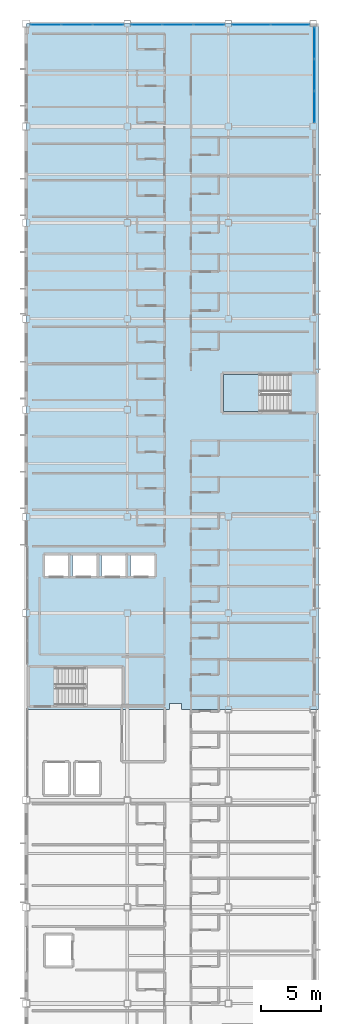
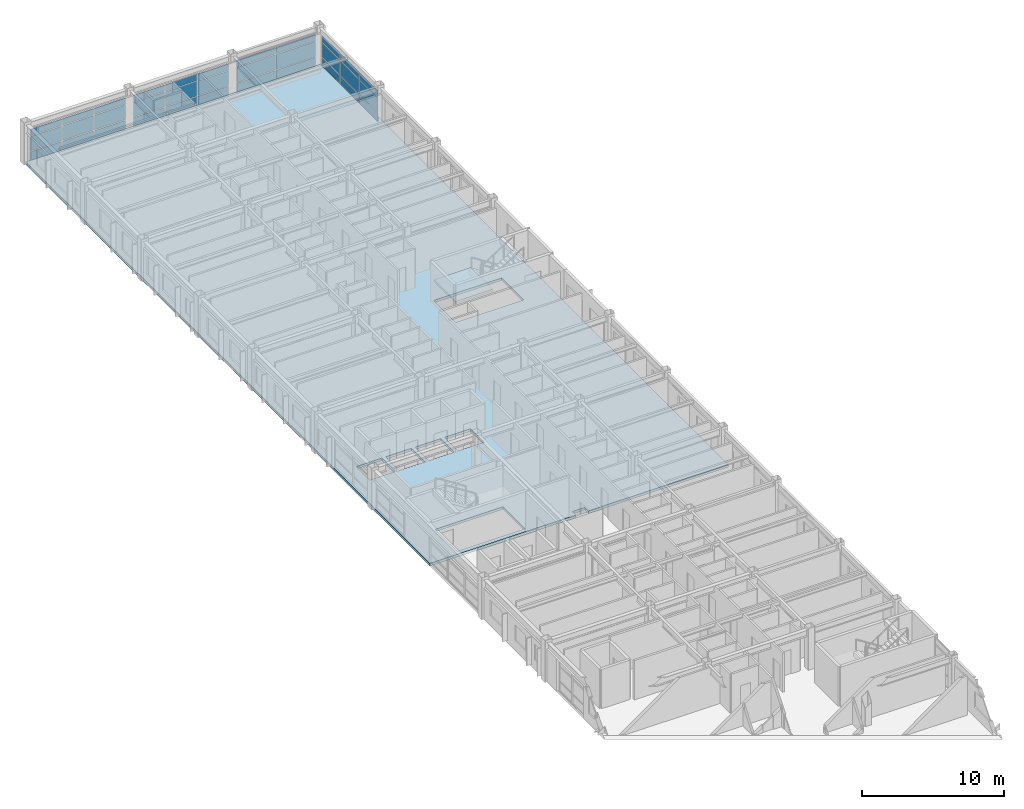
# One storey, part 22 of 38: 33 plates, 2 slabs, 5 elements without a shape of their own.
"""IFC4 building model written with IfcOpenShell, lengths in metres."""

from ifc_helpers import new_model, si_unit, direction, frame, origin, origin_2d, place, context, subcontext, project, spatial, polyline, rectangle, outline, extrude, material, layer, layer_set, type_object, element, aggregate, save


model = new_model("IFC4")

# Units and contexts
model_context = context("Model", 3, precision=1e-05, world=origin(), true_north=direction((0.0, 1.0)))
body_context = subcontext(model_context, "Body", "Model", "MODEL_VIEW")
ifc_project = project(units=[si_unit("LENGTHUNIT", "METRE"), si_unit("AREAUNIT", "SQUARE_METRE"), si_unit("VOLUMEUNIT", "CUBIC_METRE"), si_unit("PLANEANGLEUNIT", "RADIAN"), si_unit("MASSUNIT", "GRAM", prefix="KILO")], contexts=[model_context])

# Site, building, storey
site_placement = place(None, origin())
site = spatial("IfcSite", under=ifc_project, at=site_placement, CompositionType="ELEMENT")
building_placement = place(site_placement, origin())
building = spatial("IfcBuilding", under=site, at=building_placement, Name="Kazehara Bluff Congress Hotel", CompositionType="ELEMENT")
storey_placement = place(building_placement, frame((0.0, 0.0, 24.60009765625)))
storey = spatial("IfcBuildingStorey", under=building, at=storey_placement, Name="L05", CompositionType="ELEMENT", Elevation=24.60009765625)

# Curtain wall, plates
ifc_material_1 = material(Name="Anodised aluminium", Category="aluminium")
ifc_layer_1 = layer(ifc_material_1, 0.159912109375)
ifc_layer_set_1 = layer_set([ifc_layer_1], Name="Anodised aluminium")
curtain_wall_type_1 = type_object("IfcCurtainWallType", Name="TP-CW-175", PredefinedType="NOTDEFINED", material=ifc_layer_set_1)
curtain_wall_1_placement = place(storey_placement, origin())
curtain_wall_1 = element("IfcCurtainWall", 1, at=curtain_wall_1_placement, inside=storey, type_object=curtain_wall_type_1, Name="L05 curtain wall CW-175 CW-ENC-V5-L05-16765-10118", PredefinedType="NOTDEFINED")
ifc_material_2 = material(Name="Insulated low-E double glazing", Category="glass")
ifc_layer_2 = layer(ifc_material_2, 0.028076171875)
ifc_layer_set_2 = layer_set([ifc_layer_2], Name="Insulated low-E double glazing")
plate_type = type_object("IfcPlateType", Name="TP-CWP-01", PredefinedType="CURTAIN_PANEL", material=ifc_layer_set_2)
plate_1_placement = place(storey_placement, frame((167.64990234375, 103.825439453125, 0.06494140625), z_axis=(0.0, 0.0, 1.0), x_axis=(0.0, -1.0, 0.0)))
plate_1 = element("IfcPlate", 2, at=plate_1_placement, type_object=plate_type, Name="CW-175 panel 1.1", PredefinedType="CURTAIN_PANEL", context=body_context, shape_type="SweptSolid", body=[
    extrude(rectangle(XDim=2.569091796875, YDim=0.028076171875, at=origin_2d()), origin(), (0.0, 0.0, 1.0), 0.7275390625),
])
plate_2_placement = place(storey_placement, frame((167.64990234375, 103.825439453125, 0.857421875), z_axis=(0.0, 0.0, 1.0), x_axis=(0.0, -1.0, 0.0)))
plate_2 = element("IfcPlate", 3, at=plate_2_placement, type_object=plate_type, Name="CW-175 panel 1.2", PredefinedType="CURTAIN_PANEL", context=body_context, shape_type="SweptSolid", body=[
    extrude(rectangle(XDim=2.569091796875, YDim=0.028076171875, at=origin_2d()), origin(), (0.0, 0.0, 1.0), 1.215087890625),
])
plate_3_placement = place(storey_placement, frame((167.64990234375, 103.825439453125, 2.13720703125), z_axis=(0.0, 0.0, 1.0), x_axis=(0.0, -1.0, 0.0)))
plate_3 = element("IfcPlate", 4, at=plate_3_placement, type_object=plate_type, Name="CW-175 panel 1.3", PredefinedType="CURTAIN_PANEL", context=body_context, shape_type="SweptSolid", body=[
    extrude(rectangle(XDim=2.569091796875, YDim=0.028076171875, at=origin_2d()), origin(), (0.0, 0.0, 1.0), 0.552490234375),
])
plate_4_placement = place(storey_placement, frame((167.64990234375, 101.175048828125, 0.06494140625), z_axis=(0.0, 0.0, 1.0), x_axis=(0.0, -1.0, 0.0)))
plate_4 = element("IfcPlate", 5, at=plate_4_placement, type_object=plate_type, Name="CW-175 panel 2.1", PredefinedType="CURTAIN_PANEL", context=body_context, shape_type="SweptSolid", body=[
    extrude(rectangle(XDim=2.6015625, YDim=0.028076171875, at=origin_2d()), origin(), (0.0, 0.0, 1.0), 0.7275390625),
])
plate_5_placement = place(storey_placement, frame((167.64990234375, 101.175048828125, 0.857421875), z_axis=(0.0, 0.0, 1.0), x_axis=(0.0, -1.0, 0.0)))
plate_5 = element("IfcPlate", 6, at=plate_5_placement, type_object=plate_type, Name="CW-175 panel 2.2", PredefinedType="CURTAIN_PANEL", context=body_context, shape_type="SweptSolid", body=[
    extrude(rectangle(XDim=2.6015625, YDim=0.028076171875, at=origin_2d()), origin(), (0.0, 0.0, 1.0), 1.215087890625),
])
plate_6_placement = place(storey_placement, frame((167.64990234375, 101.175048828125, 2.13720703125), z_axis=(0.0, 0.0, 1.0), x_axis=(0.0, -1.0, 0.0)))
plate_6 = element("IfcPlate", 7, at=plate_6_placement, type_object=plate_type, Name="CW-175 panel 2.3", PredefinedType="CURTAIN_PANEL", context=body_context, shape_type="SweptSolid", body=[
    extrude(rectangle(XDim=2.6015625, YDim=0.028076171875, at=origin_2d()), origin(), (0.0, 0.0, 1.0), 0.552490234375),
])
plate_7_placement = place(storey_placement, frame((167.64990234375, 98.524658203125, 0.06494140625), z_axis=(0.0, 0.0, 1.0), x_axis=(0.0, -1.0, 0.0)))
plate_7 = element("IfcPlate", 8, at=plate_7_placement, type_object=plate_type, Name="CW-175 panel 3.1", PredefinedType="CURTAIN_PANEL", context=body_context, shape_type="SweptSolid", body=[
    extrude(rectangle(XDim=2.569091796875, YDim=0.028076171875, at=origin_2d()), origin(), (0.0, 0.0, 1.0), 0.7275390625),
])
plate_8_placement = place(storey_placement, frame((167.64990234375, 98.524658203125, 0.857421875), z_axis=(0.0, 0.0, 1.0), x_axis=(0.0, -1.0, 0.0)))
plate_8 = element("IfcPlate", 9, at=plate_8_placement, type_object=plate_type, Name="CW-175 panel 3.2", PredefinedType="CURTAIN_PANEL", context=body_context, shape_type="SweptSolid", body=[
    extrude(rectangle(XDim=2.569091796875, YDim=0.028076171875, at=origin_2d()), origin(), (0.0, 0.0, 1.0), 1.215087890625),
])
plate_9_placement = place(storey_placement, frame((167.64990234375, 98.524658203125, 2.13720703125), z_axis=(0.0, 0.0, 1.0), x_axis=(0.0, -1.0, 0.0)))
plate_9 = element("IfcPlate", 10, at=plate_9_placement, type_object=plate_type, Name="CW-175 panel 3.3", PredefinedType="CURTAIN_PANEL", context=body_context, shape_type="SweptSolid", body=[
    extrude(rectangle(XDim=2.569091796875, YDim=0.028076171875, at=origin_2d()), origin(), (0.0, 0.0, 1.0), 0.552490234375),
])
aggregate(curtain_wall_1, [plate_1, plate_2, plate_3, plate_4, plate_5, plate_6, plate_7, plate_8, plate_9])

ifc_material_3 = material(Name="Anodised aluminium", Category="aluminium")
ifc_layer_3 = layer(ifc_material_3, 0.159912109375)
ifc_layer_set_3 = layer_set([ifc_layer_3], Name="Anodised aluminium")
curtain_wall_type_2 = type_object("IfcCurtainWallType", Name="TP-CW-171", PredefinedType="NOTDEFINED", material=ifc_layer_set_3)
curtain_wall_2_placement = place(storey_placement, origin())
curtain_wall_2 = element("IfcCurtainWall", 11, at=curtain_wall_2_placement, inside=storey, type_object=curtain_wall_type_2, Name="L05 curtain wall CW-171 CW-ENC-V5-L05-14791-10535", PredefinedType="NOTDEFINED")
plate_10_placement = place(storey_placement, frame((145.3203125, 105.35009765625, 0.06494140625), z_axis=(0.0, 0.0, 1.0), x_axis=(1.0, 0.0, 0.0)))
plate_10 = element("IfcPlate", 12, at=plate_10_placement, type_object=plate_type, Name="CW-171 panel 1.1", PredefinedType="CURTAIN_PANEL", context=body_context, shape_type="SweptSolid", body=[
    extrude(rectangle(XDim=2.5107421875, YDim=0.028076171875, at=origin_2d()), origin(), (0.0, 0.0, 1.0), 0.742431640625),
])
plate_11_placement = place(storey_placement, frame((145.3203125, 105.35009765625, 0.872314453125), z_axis=(0.0, 0.0, 1.0), x_axis=(1.0, 0.0, 0.0)))
plate_11 = element("IfcPlate", 13, at=plate_11_placement, type_object=plate_type, Name="CW-171 panel 1.2", PredefinedType="CURTAIN_PANEL", context=body_context, shape_type="SweptSolid", body=[
    extrude(rectangle(XDim=2.5107421875, YDim=0.028076171875, at=origin_2d()), origin(), (0.0, 0.0, 1.0), 1.25),
])
plate_12_placement = place(storey_placement, frame((145.3203125, 105.35009765625, 2.1875), z_axis=(0.0, 0.0, 1.0), x_axis=(1.0, 0.0, 0.0)))
plate_12 = element("IfcPlate", 14, at=plate_12_placement, type_object=plate_type, Name="CW-171 panel 1.3", PredefinedType="CURTAIN_PANEL", context=body_context, shape_type="SweptSolid", body=[
    extrude(rectangle(XDim=2.5107421875, YDim=0.028076171875, at=origin_2d()), origin(), (0.0, 0.0, 1.0), 0.552490234375),
])
plate_13_placement = place(storey_placement, frame((147.91259765625, 105.35009765625, 0.06494140625), z_axis=(0.0, 0.0, 1.0), x_axis=(1.0, 0.0, 0.0)))
plate_13 = element("IfcPlate", 15, at=plate_13_placement, type_object=plate_type, Name="CW-171 panel 2.1", PredefinedType="CURTAIN_PANEL", context=body_context, shape_type="SweptSolid", body=[
    extrude(rectangle(XDim=2.543212890625, YDim=0.028076171875, at=origin_2d()), origin(), (0.0, 0.0, 1.0), 0.742431640625),
])
plate_14_placement = place(storey_placement, frame((147.91259765625, 105.35009765625, 0.872314453125), z_axis=(0.0, 0.0, 1.0), x_axis=(1.0, 0.0, 0.0)))
plate_14 = element("IfcPlate", 16, at=plate_14_placement, type_object=plate_type, Name="CW-171 panel 2.2", PredefinedType="CURTAIN_PANEL", context=body_context, shape_type="SweptSolid", body=[
    extrude(rectangle(XDim=2.543212890625, YDim=0.028076171875, at=origin_2d()), origin(), (0.0, 0.0, 1.0), 1.25),
])
plate_15_placement = place(storey_placement, frame((147.91259765625, 105.35009765625, 2.1875), z_axis=(0.0, 0.0, 1.0), x_axis=(1.0, 0.0, 0.0)))
plate_15 = element("IfcPlate", 17, at=plate_15_placement, type_object=plate_type, Name="CW-171 panel 2.3", PredefinedType="CURTAIN_PANEL", context=body_context, shape_type="SweptSolid", body=[
    extrude(rectangle(XDim=2.543212890625, YDim=0.028076171875, at=origin_2d()), origin(), (0.0, 0.0, 1.0), 0.552490234375),
])
plate_16_placement = place(storey_placement, frame((150.504638671875, 105.35009765625, 0.06494140625), z_axis=(0.0, 0.0, 1.0), x_axis=(1.0, 0.0, 0.0)))
plate_16 = element("IfcPlate", 18, at=plate_16_placement, type_object=plate_type, Name="CW-171 panel 3.1", PredefinedType="CURTAIN_PANEL", context=body_context, shape_type="SweptSolid", body=[
    extrude(rectangle(XDim=2.5107421875, YDim=0.028076171875, at=origin_2d()), origin(), (0.0, 0.0, 1.0), 0.742431640625),
])
plate_17_placement = place(storey_placement, frame((150.504638671875, 105.35009765625, 0.872314453125), z_axis=(0.0, 0.0, 1.0), x_axis=(1.0, 0.0, 0.0)))
plate_17 = element("IfcPlate", 19, at=plate_17_placement, type_object=plate_type, Name="CW-171 panel 3.2", PredefinedType="CURTAIN_PANEL", context=body_context, shape_type="SweptSolid", body=[
    extrude(rectangle(XDim=2.5107421875, YDim=0.028076171875, at=origin_2d()), origin(), (0.0, 0.0, 1.0), 1.25),
])
plate_18_placement = place(storey_placement, frame((150.504638671875, 105.35009765625, 2.1875), z_axis=(0.0, 0.0, 1.0), x_axis=(1.0, 0.0, 0.0)))
plate_18 = element("IfcPlate", 20, at=plate_18_placement, type_object=plate_type, Name="CW-171 panel 3.3", PredefinedType="CURTAIN_PANEL", context=body_context, shape_type="SweptSolid", body=[
    extrude(rectangle(XDim=2.5107421875, YDim=0.028076171875, at=origin_2d()), origin(), (0.0, 0.0, 1.0), 0.552490234375),
])
aggregate(curtain_wall_2, [plate_10, plate_11, plate_12, plate_13, plate_14, plate_15, plate_16, plate_17, plate_18])

ifc_material_4 = material(Name="Anodised aluminium", Category="aluminium")
ifc_layer_4 = layer(ifc_material_4, 0.159912109375)
ifc_layer_set_4 = layer_set([ifc_layer_4], Name="Anodised aluminium")
curtain_wall_type_3 = type_object("IfcCurtainWallType", Name="TP-CW-172", PredefinedType="NOTDEFINED", material=ifc_layer_set_4)
curtain_wall_3_placement = place(storey_placement, origin())
curtain_wall_3 = element("IfcCurtainWall", 21, at=curtain_wall_3_placement, inside=storey, type_object=curtain_wall_type_3, Name="L05 curtain wall CW-172 CW-ENC-V5-L05-15630-10535", PredefinedType="NOTDEFINED")
plate_19_placement = place(storey_placement, frame((153.699462890625, 105.35009765625, 0.06494140625), z_axis=(0.0, 0.0, 1.0), x_axis=(1.0, 0.0, 0.0)))
plate_19 = element("IfcPlate", 22, at=plate_19_placement, type_object=plate_type, Name="CW-172 panel 1.1", PredefinedType="CURTAIN_PANEL", context=body_context, shape_type="SweptSolid", body=[
    extrude(rectangle(XDim=2.519287109375, YDim=0.028076171875, at=origin_2d()), origin(), (0.0, 0.0, 1.0), 0.742431640625),
])
plate_20_placement = place(storey_placement, frame((153.699462890625, 105.35009765625, 0.872314453125), z_axis=(0.0, 0.0, 1.0), x_axis=(1.0, 0.0, 0.0)))
plate_20 = element("IfcPlate", 23, at=plate_20_placement, type_object=plate_type, Name="CW-172 panel 1.2", PredefinedType="CURTAIN_PANEL", context=body_context, shape_type="SweptSolid", body=[
    extrude(rectangle(XDim=2.519287109375, YDim=0.028076171875, at=origin_2d()), origin(), (0.0, 0.0, 1.0), 1.25),
])
plate_21_placement = place(storey_placement, frame((153.699462890625, 105.35009765625, 2.1875), z_axis=(0.0, 0.0, 1.0), x_axis=(1.0, 0.0, 0.0)))
plate_21 = element("IfcPlate", 24, at=plate_21_placement, type_object=plate_type, Name="CW-172 panel 1.3", PredefinedType="CURTAIN_PANEL", context=body_context, shape_type="SweptSolid", body=[
    extrude(rectangle(XDim=2.519287109375, YDim=0.028076171875, at=origin_2d()), origin(), (0.0, 0.0, 1.0), 0.552490234375),
])
plate_22_placement = place(storey_placement, frame((156.300048828125, 105.35009765625, 0.06494140625), z_axis=(0.0, 0.0, 1.0), x_axis=(1.0, 0.0, 0.0)))
plate_22 = element("IfcPlate", 25, at=plate_22_placement, type_object=plate_type, Name="CW-172 panel 2.1", PredefinedType="CURTAIN_PANEL", context=body_context, shape_type="SweptSolid", body=[
    extrude(rectangle(XDim=2.5517578125, YDim=0.028076171875, at=origin_2d()), origin(), (0.0, 0.0, 1.0), 0.742431640625),
])
plate_23_placement = place(storey_placement, frame((156.300048828125, 105.35009765625, 0.872314453125), z_axis=(0.0, 0.0, 1.0), x_axis=(1.0, 0.0, 0.0)))
plate_23 = element("IfcPlate", 26, at=plate_23_placement, type_object=plate_type, Name="CW-172 panel 2.2", PredefinedType="CURTAIN_PANEL", context=body_context, shape_type="SweptSolid", body=[
    extrude(rectangle(XDim=2.5517578125, YDim=0.028076171875, at=origin_2d()), origin(), (0.0, 0.0, 1.0), 1.25),
])
plate_24_placement = place(storey_placement, frame((156.300048828125, 105.35009765625, 2.1875), z_axis=(0.0, 0.0, 1.0), x_axis=(1.0, 0.0, 0.0)))
plate_24 = element("IfcPlate", 27, at=plate_24_placement, type_object=plate_type, Name="CW-172 panel 2.3", PredefinedType="CURTAIN_PANEL", context=body_context, shape_type="SweptSolid", body=[
    extrude(rectangle(XDim=2.5517578125, YDim=0.028076171875, at=origin_2d()), origin(), (0.0, 0.0, 1.0), 0.552490234375),
])
plate_25_placement = place(storey_placement, frame((158.900390625, 105.35009765625, 0.06494140625), z_axis=(0.0, 0.0, 1.0), x_axis=(1.0, 0.0, 0.0)))
plate_25 = element("IfcPlate", 28, at=plate_25_placement, type_object=plate_type, Name="CW-172 panel 3.1", PredefinedType="CURTAIN_PANEL", context=body_context, shape_type="SweptSolid", body=[
    extrude(rectangle(XDim=2.519287109375, YDim=0.028076171875, at=origin_2d()), origin(), (0.0, 0.0, 1.0), 0.742431640625),
])
plate_26_placement = place(storey_placement, frame((158.900390625, 105.35009765625, 0.872314453125), z_axis=(0.0, 0.0, 1.0), x_axis=(1.0, 0.0, 0.0)))
plate_26 = element("IfcPlate", 29, at=plate_26_placement, type_object=plate_type, Name="CW-172 panel 3.2", PredefinedType="CURTAIN_PANEL", context=body_context, shape_type="SweptSolid", body=[
    extrude(rectangle(XDim=2.519287109375, YDim=0.028076171875, at=origin_2d()), origin(), (0.0, 0.0, 1.0), 1.25),
])
plate_27_placement = place(storey_placement, frame((158.900390625, 105.35009765625, 2.1875), z_axis=(0.0, 0.0, 1.0), x_axis=(1.0, 0.0, 0.0)))
plate_27 = element("IfcPlate", 30, at=plate_27_placement, type_object=plate_type, Name="CW-172 panel 3.3", PredefinedType="CURTAIN_PANEL", context=body_context, shape_type="SweptSolid", body=[
    extrude(rectangle(XDim=2.519287109375, YDim=0.028076171875, at=origin_2d()), origin(), (0.0, 0.0, 1.0), 0.552490234375),
])
aggregate(curtain_wall_3, [plate_19, plate_20, plate_21, plate_22, plate_23, plate_24, plate_25, plate_26, plate_27])

ifc_material_5 = material(Name="Anodised aluminium", Category="aluminium")
ifc_layer_5 = layer(ifc_material_5, 0.159912109375)
ifc_layer_set_5 = layer_set([ifc_layer_5], Name="Anodised aluminium")
curtain_wall_type_4 = type_object("IfcCurtainWallType", Name="TP-CW-173", PredefinedType="NOTDEFINED", material=ifc_layer_set_5)
curtain_wall_4_placement = place(storey_placement, origin())
curtain_wall_4 = element("IfcCurtainWall", 31, at=curtain_wall_4_placement, inside=storey, type_object=curtain_wall_type_4, Name="L05 curtain wall CW-173 CW-ENC-V5-L05-16402-10535", PredefinedType="NOTDEFINED")
plate_28_placement = place(storey_placement, frame((162.4150390625, 105.35009765625, 0.06005859375), z_axis=(0.0, 0.0, 1.0), x_axis=(1.0, 0.0, 0.0)))
plate_28 = element("IfcPlate", 32, at=plate_28_placement, type_object=plate_type, Name="CW-173 panel 1.1", PredefinedType="CURTAIN_PANEL", context=body_context, shape_type="SweptSolid", body=[
    extrude(rectangle(XDim=3.159912109375, YDim=0.028076171875, at=origin_2d()), origin(), (0.0, 0.0, 1.0), 0.764892578125),
])
plate_29_placement = place(storey_placement, frame((162.4150390625, 105.35009765625, 0.884765625), z_axis=(0.0, 0.0, 1.0), x_axis=(1.0, 0.0, 0.0)))
plate_29 = element("IfcPlate", 33, at=plate_29_placement, type_object=plate_type, Name="CW-173 panel 1.2", PredefinedType="CURTAIN_PANEL", context=body_context, shape_type="SweptSolid", body=[
    extrude(rectangle(XDim=3.159912109375, YDim=0.028076171875, at=origin_2d()), origin(), (0.0, 0.0, 1.0), 1.2900390625),
])
plate_30_placement = place(storey_placement, frame((162.4150390625, 105.35009765625, 2.23486328125), z_axis=(0.0, 0.0, 1.0), x_axis=(1.0, 0.0, 0.0)))
plate_30 = element("IfcPlate", 34, at=plate_30_placement, type_object=plate_type, Name="CW-173 panel 1.3", PredefinedType="CURTAIN_PANEL", context=body_context, shape_type="SweptSolid", body=[
    extrude(rectangle(XDim=3.159912109375, YDim=0.028076171875, at=origin_2d()), origin(), (0.0, 0.0, 1.0), 0.56005859375),
])
plate_31_placement = place(storey_placement, frame((165.635009765625, 105.35009765625, 0.06005859375), z_axis=(0.0, 0.0, 1.0), x_axis=(1.0, 0.0, 0.0)))
plate_31 = element("IfcPlate", 35, at=plate_31_placement, type_object=plate_type, Name="CW-173 panel 2.1", PredefinedType="CURTAIN_PANEL", context=body_context, shape_type="SweptSolid", body=[
    extrude(rectangle(XDim=3.159912109375, YDim=0.028076171875, at=origin_2d()), origin(), (0.0, 0.0, 1.0), 0.764892578125),
])
plate_32_placement = place(storey_placement, frame((165.635009765625, 105.35009765625, 0.884765625), z_axis=(0.0, 0.0, 1.0), x_axis=(1.0, 0.0, 0.0)))
plate_32 = element("IfcPlate", 36, at=plate_32_placement, type_object=plate_type, Name="CW-173 panel 2.2", PredefinedType="CURTAIN_PANEL", context=body_context, shape_type="SweptSolid", body=[
    extrude(rectangle(XDim=3.159912109375, YDim=0.028076171875, at=origin_2d()), origin(), (0.0, 0.0, 1.0), 1.2900390625),
])
plate_33_placement = place(storey_placement, frame((165.635009765625, 105.35009765625, 2.23486328125), z_axis=(0.0, 0.0, 1.0), x_axis=(1.0, 0.0, 0.0)))
plate_33 = element("IfcPlate", 37, at=plate_33_placement, type_object=plate_type, Name="CW-173 panel 2.3", PredefinedType="CURTAIN_PANEL", context=body_context, shape_type="SweptSolid", body=[
    extrude(rectangle(XDim=3.159912109375, YDim=0.028076171875, at=origin_2d()), origin(), (0.0, 0.0, 1.0), 0.56005859375),
])
aggregate(curtain_wall_4, [plate_28, plate_29, plate_30, plate_31, plate_32, plate_33])

# Slab
ifc_material_6 = material(Name="Concrete C36/45", Category="concrete")
ifc_layer_6 = layer(ifc_material_6, 0.219970703125)
ifc_layer_set_6 = layer_set([ifc_layer_6], Name="Concrete C36/45")
slab_type_1 = type_object("IfcSlabType", Name="TP-SL-220", PredefinedType="FLOOR", material=ifc_layer_set_6)
slab_1_placement = place(storey_placement, frame((0.0, 0.0, -0.22021484375)))
element("IfcSlab", 38, at=slab_1_placement, inside=storey, type_object=slab_type_1, Name="L05 V5 composite floor slab N", PredefinedType="FLOOR", context=body_context, shape_type="SweptSolid", body=[
    extrude(outline(polyline([(168.0, 105.449951171875), (168.0, 48.449951171875), (156.60009765625, 48.449951171875), (156.60009765625, 48.949951171875), (155.60009765625, 48.949951171875), (155.60009765625, 48.449951171875), (143.699951171875, 48.449951171875), (143.699951171875, 105.449951171875), (168.0, 105.449951171875)]), holes=[polyline([(146.125, 48.800048828125), (151.64990234375, 48.800048828125), (151.64990234375, 51.89990234375), (146.125, 51.89990234375), (146.125, 48.800048828125)]), polyline([(165.625, 76.300048828125), (160.10009765625, 76.300048828125), (160.10009765625, 73.199951171875), (165.625, 73.199951171875), (165.625, 76.300048828125)]), polyline([(145.14990234375, 59.449951171875), (147.25, 59.449951171875), (147.25, 61.35009765625), (145.14990234375, 61.35009765625), (145.14990234375, 59.449951171875)]), polyline([(147.550048828125, 59.449951171875), (149.64990234375, 59.449951171875), (149.64990234375, 61.35009765625), (147.550048828125, 61.35009765625), (147.550048828125, 59.449951171875)]), polyline([(149.949951171875, 59.449951171875), (152.050048828125, 59.449951171875), (152.050048828125, 61.35009765625), (149.949951171875, 61.35009765625), (149.949951171875, 59.449951171875)]), polyline([(152.35009765625, 59.449951171875), (154.449951171875, 59.449951171875), (154.449951171875, 61.35009765625), (152.35009765625, 61.35009765625), (152.35009765625, 59.449951171875)])]), origin(), (0.0, 0.0, 1.0), 0.22021484375),
])

# Stair, slab
ifc_material_7 = material(Name="Concrete C36/45", Category="concrete")
stair_type = type_object("IfcStairType", Name="TP-ST-T03", PredefinedType="HALF_TURN_STAIR", material=ifc_material_7)
stair_placement = place(storey_placement, origin())
stair = element("IfcStair", 39, at=stair_placement, inside=storey, type_object=stair_type, Name="L05 Escape stair ST-12", PredefinedType="HALF_TURN_STAIR")
ifc_material_8 = material(Name="Concrete C36/45", Category="concrete")
ifc_layer_7 = layer(ifc_material_8, 0.199951171875)
ifc_layer_set_7 = layer_set([ifc_layer_7], Name="Concrete C36/45")
slab_type_2 = type_object("IfcSlabType", Name="TP-SLD-200", PredefinedType="LANDING", material=ifc_layer_set_7)
slab_2_placement = place(storey_placement, frame((0.0, 0.0, 1.599853515625)))
slab_2 = element("IfcSlab", 40, at=slab_2_placement, type_object=slab_type_2, Name="ST-12 landing 1", PredefinedType="LANDING", context=body_context, shape_type="SweptSolid", body=[
    extrude(outline(polyline([(163.1298828125, 76.300048828125), (160.10009765625, 76.300048828125), (160.10009765625, 73.199951171875), (163.1298828125, 73.199951171875), (163.1298828125, 76.300048828125)])), origin(), (0.0, 0.0, 1.0), 0.199951171875),
])
aggregate(stair, [slab_2])

save(model, "model.ifc")
